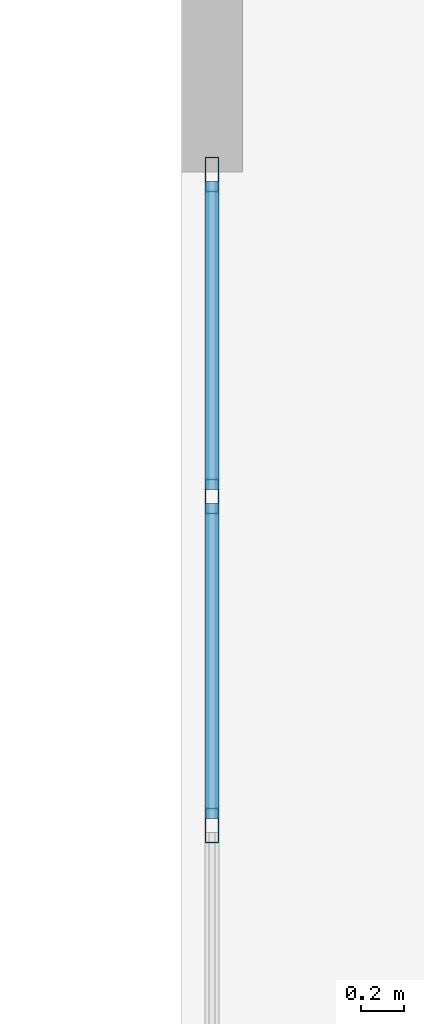
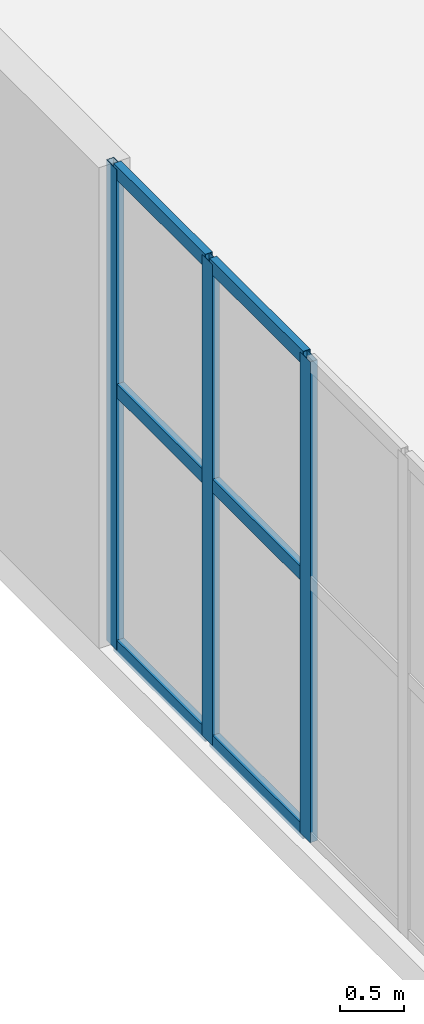
# One storey, part 16 of 72: 9 members, 1 element without a shape of its own.
"""IFC4 building model written with IfcOpenShell, lengths in metres."""

from ifc_helpers import new_model, si_unit, direction, frame, origin, origin_2d, place, context, subcontext, project, spatial, hollow_rectangle, extrude, material, layer, layer_set, material_profile, profile_set, type_object, element, aggregate, save


model = new_model("IFC4")

# Units and contexts
model_context = context("Model", 3, precision=1e-05, world=origin(), true_north=direction((0.0, 1.0)))
body_context = subcontext(model_context, "Body", "Model", "MODEL_VIEW")
ifc_project = project(units=[si_unit("LENGTHUNIT", "METRE"), si_unit("AREAUNIT", "SQUARE_METRE"), si_unit("VOLUMEUNIT", "CUBIC_METRE"), si_unit("PLANEANGLEUNIT", "RADIAN"), si_unit("MASSUNIT", "GRAM", prefix="KILO")], contexts=[model_context])

# Site, building, storey
site_placement = place(None, origin())
site = spatial("IfcSite", under=ifc_project, at=site_placement, CompositionType="ELEMENT")
building_placement = place(site_placement, origin())
building = spatial("IfcBuilding", under=site, at=building_placement, Name="Xicomal Pleat Aquarium", CompositionType="ELEMENT")
storey_placement = place(building_placement, frame((0.0, 0.0, 10.5)))
storey = spatial("IfcBuildingStorey", under=building, at=storey_placement, Name="L03", CompositionType="ELEMENT", Elevation=10.5)

# Curtain wall, members
ifc_material_1 = material(Name="Bronze anodized aluminium 6063-T6", Category="aluminium")
ifc_layer = layer(ifc_material_1, 0.159912109375)
ifc_layer_set = layer_set([ifc_layer], Name="Bronze anodized aluminium 6063-T6")
curtain_wall_type = type_object("IfcCurtainWallType", Name="CW-SYS-03", PredefinedType="NOTDEFINED", material=ifc_layer_set)
curtain_wall_placement = place(storey_placement, origin())
curtain_wall = element("IfcCurtainWall", 1, at=curtain_wall_placement, inside=storey, type_object=curtain_wall_type, Name="L03 unitised curtain wall CW-L03-168", PredefinedType="NOTDEFINED")
ifc_material_2 = material(Name="Bronze anodized aluminium 6063-T6", Category="aluminium")
ifc_material_profile_1 = material_profile(ifc_material_2, hollow_rectangle(XDim=0.06494140625, YDim=0.159912109375, WallThickness=0.00390625, at=origin_2d()), Name="ALU MULL 65x160")
ifc_profile_set_1 = profile_set([ifc_material_profile_1], Name="Bronze anodized aluminium 6063-T6")
member_type_1 = type_object("IfcMemberType", Name="CWM-65x160", PredefinedType="MULLION", material=ifc_profile_set_1)
member_1_placement = place(storey_placement, frame((43.93994140625, 50.159912109375, 0.0), z_axis=(0.0, 0.0, 1.0), x_axis=(-1.0, 0.0, 0.0)))
member_1 = element("IfcMember", 2, at=member_1_placement, type_object=member_type_1, Name="CW-03 mullion 4", PredefinedType="MULLION", context=body_context, shape_type="SweptSolid", body=[
    extrude(hollow_rectangle(XDim=0.06494140625, YDim=0.159912109375, WallThickness=0.00390625, at=origin_2d()), origin(), (0.0, 0.0, 1.0), 4.56005859375),
])
member_2_placement = place(storey_placement, frame((43.93994140625, 51.679931640625, 0.0), z_axis=(0.0, 0.0, 1.0), x_axis=(-1.0, 0.0, 0.0)))
member_2 = element("IfcMember", 3, at=member_2_placement, type_object=member_type_1, Name="CW-03 mullion 5", PredefinedType="MULLION", context=body_context, shape_type="SweptSolid", body=[
    extrude(hollow_rectangle(XDim=0.06494140625, YDim=0.159912109375, WallThickness=0.00390625, at=origin_2d()), origin(), (0.0, 0.0, 1.0), 4.56005859375),
])
member_3_placement = place(storey_placement, frame((43.93994140625, 53.16748046875, 0.0), z_axis=(0.0, 0.0, 1.0), x_axis=(-1.0, 0.0, 0.0)))
member_3 = element("IfcMember", 4, at=member_3_placement, type_object=member_type_1, Name="CW-03 mullion 6", PredefinedType="MULLION", context=body_context, shape_type="SweptSolid", body=[
    extrude(hollow_rectangle(XDim=0.06494140625, YDim=0.159912109375, WallThickness=0.00390625, at=origin_2d()), origin(), (0.0, 0.0, 1.0), 4.56005859375),
])
ifc_material_3 = material(Name="Bronze anodized aluminium 6063-T6", Category="aluminium")
ifc_material_profile_2 = material_profile(ifc_material_3, hollow_rectangle(XDim=0.06494140625, YDim=0.1298828125, WallThickness=0.00390625, at=origin_2d()), Name="ALU TRAN 65x130")
ifc_profile_set_2 = profile_set([ifc_material_profile_2], Name="Bronze anodized aluminium 6063-T6")
member_type_2 = type_object("IfcMemberType", Name="CWT-65x130", PredefinedType="USERDEFINED", material=ifc_profile_set_2)
member_4_placement = place(storey_placement, frame((43.93994140625, 50.1923828125, 0.032470703125), z_axis=(0.0, 1.0, 0.0), x_axis=(-1.0, 0.0, 0.0)))
member_4 = element("IfcMember", 5, at=member_4_placement, type_object=member_type_2, Name="CW-03 transom 4.1", ObjectType="TRANSOM", PredefinedType="USERDEFINED", context=body_context, shape_type="SweptSolid", body=[
    extrude(hollow_rectangle(XDim=0.06494140625, YDim=0.1298828125, WallThickness=0.00390625, at=origin_2d()), origin(), (0.0, 0.0, 1.0), 1.455078125),
])
member_5_placement = place(storey_placement, frame((43.93994140625, 50.1923828125, 2.4619140625), z_axis=(0.0, 1.0, 0.0), x_axis=(-1.0, 0.0, 0.0)))
member_5 = element("IfcMember", 6, at=member_5_placement, type_object=member_type_2, Name="CW-03 transom 4.2", ObjectType="TRANSOM", PredefinedType="USERDEFINED", context=body_context, shape_type="SweptSolid", body=[
    extrude(hollow_rectangle(XDim=0.06494140625, YDim=0.1298828125, WallThickness=0.00390625, at=origin_2d()), origin(), (0.0, 0.0, 1.0), 1.455078125),
])
member_6_placement = place(storey_placement, frame((43.93994140625, 50.1923828125, 4.527587890625), z_axis=(0.0, 1.0, 0.0), x_axis=(-1.0, 0.0, 0.0)))
member_6 = element("IfcMember", 7, at=member_6_placement, type_object=member_type_2, Name="CW-03 transom 4.3", ObjectType="TRANSOM", PredefinedType="USERDEFINED", context=body_context, shape_type="SweptSolid", body=[
    extrude(hollow_rectangle(XDim=0.06494140625, YDim=0.1298828125, WallThickness=0.00390625, at=origin_2d()), origin(), (0.0, 0.0, 1.0), 1.455078125),
])
member_7_placement = place(storey_placement, frame((43.93994140625, 51.71240234375, 0.032470703125), z_axis=(0.0, 1.0, 0.0), x_axis=(-1.0, 0.0, 0.0)))
member_7 = element("IfcMember", 8, at=member_7_placement, type_object=member_type_2, Name="CW-03 transom 5.1", ObjectType="TRANSOM", PredefinedType="USERDEFINED", context=body_context, shape_type="SweptSolid", body=[
    extrude(hollow_rectangle(XDim=0.06494140625, YDim=0.1298828125, WallThickness=0.00390625, at=origin_2d()), origin(), (0.0, 0.0, 1.0), 1.422607421875),
])
member_8_placement = place(storey_placement, frame((43.93994140625, 51.71240234375, 2.4619140625), z_axis=(0.0, 1.0, 0.0), x_axis=(-1.0, 0.0, 0.0)))
member_8 = element("IfcMember", 9, at=member_8_placement, type_object=member_type_2, Name="CW-03 transom 5.2", ObjectType="TRANSOM", PredefinedType="USERDEFINED", context=body_context, shape_type="SweptSolid", body=[
    extrude(hollow_rectangle(XDim=0.06494140625, YDim=0.1298828125, WallThickness=0.00390625, at=origin_2d()), origin(), (0.0, 0.0, 1.0), 1.422607421875),
])
member_9_placement = place(storey_placement, frame((43.93994140625, 51.71240234375, 4.527587890625), z_axis=(0.0, 1.0, 0.0), x_axis=(-1.0, 0.0, 0.0)))
member_9 = element("IfcMember", 10, at=member_9_placement, type_object=member_type_2, Name="CW-03 transom 5.3", ObjectType="TRANSOM", PredefinedType="USERDEFINED", context=body_context, shape_type="SweptSolid", body=[
    extrude(hollow_rectangle(XDim=0.06494140625, YDim=0.1298828125, WallThickness=0.00390625, at=origin_2d()), origin(), (0.0, 0.0, 1.0), 1.422607421875),
])
aggregate(curtain_wall, [member_1, member_2, member_3, member_4, member_5, member_6, member_7, member_8, member_9])

save(model, "model.ifc")
